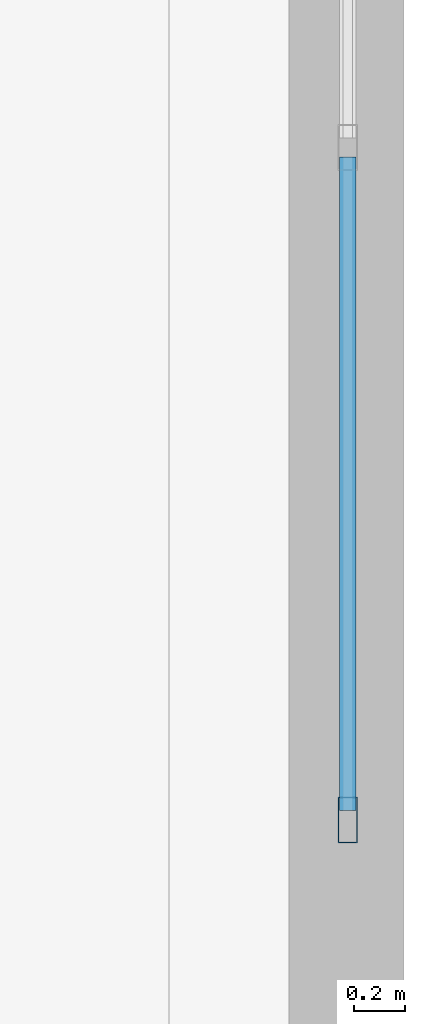
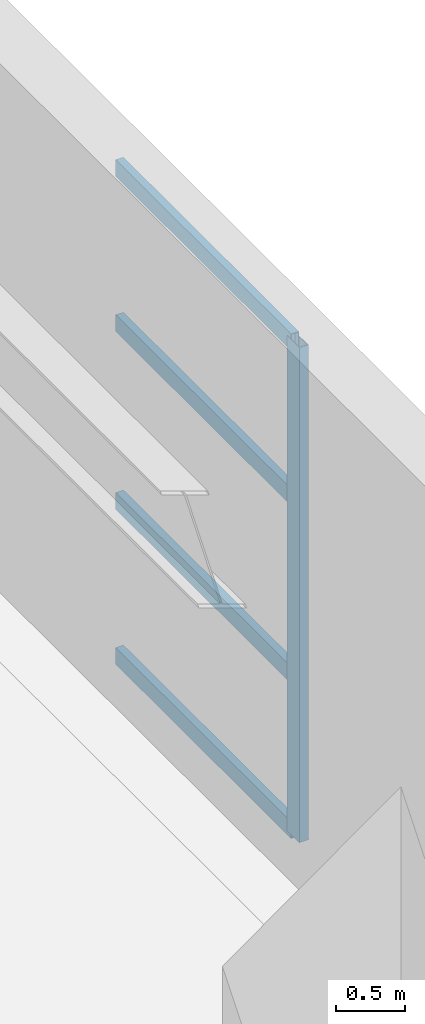
# One storey, part 14 of 35: 5 members, 1 element without a shape of its own.
"""IFC4 building model written with IfcOpenShell, lengths in metres."""

from ifc_helpers import new_model, si_unit, direction, frame, origin, origin_2d, place, context, subcontext, project, spatial, hollow_rectangle, extrude, material, layer, layer_set, material_profile, profile_set, type_object, element, aggregate, save


model = new_model("IFC4")

# Units and contexts
model_context = context("Model", 3, precision=1e-05, world=origin(), true_north=direction((0.0, 1.0)))
body_context = subcontext(model_context, "Body", "Model", "MODEL_VIEW")
ifc_project = project(units=[si_unit("LENGTHUNIT", "METRE"), si_unit("AREAUNIT", "SQUARE_METRE"), si_unit("VOLUMEUNIT", "CUBIC_METRE"), si_unit("PLANEANGLEUNIT", "RADIAN"), si_unit("MASSUNIT", "GRAM", prefix="KILO")], contexts=[model_context])

# Site, building, storey
site_placement = place(None, origin())
site = spatial("IfcSite", under=ifc_project, at=site_placement, CompositionType="ELEMENT")
building_placement = place(site_placement, origin())
building = spatial("IfcBuilding", under=site, at=building_placement, Name="Qiaolan Cultural Towers", CompositionType="ELEMENT")
storey_placement = place(building_placement, frame((0.0, 0.0, 11.5)))
storey = spatial("IfcBuildingStorey", under=building, at=storey_placement, Name="L02", CompositionType="ELEMENT", Elevation=11.5)

# Curtain wall, members
ifc_material_1 = material(Name="Unitized Anodized Aluminium Curtain Wall System", Category="aluminium")
ifc_layer = layer(ifc_material_1, 0.199951171875)
ifc_layer_set = layer_set([ifc_layer], Name="Unitized Anodized Aluminium Curtain Wall System")
curtain_wall_type = type_object("IfcCurtainWallType", Name="CWS-04", PredefinedType="NOTDEFINED", material=ifc_layer_set)
curtain_wall_placement = place(storey_placement, origin())
curtain_wall = element("IfcCurtainWall", 1, at=curtain_wall_placement, inside=storey, type_object=curtain_wall_type, Name="L02 East Exhibition Foyer Curtain Wall", PredefinedType="NOTDEFINED")
ifc_material_2 = material(Name="Extruded Aluminium 6063-T6", Category="aluminium")
ifc_material_profile_1 = material_profile(ifc_material_2, hollow_rectangle(XDim=0.074951171875, YDim=0.179931640625, WallThickness=0.00390625, at=origin_2d()), Name="CWM-180x75x4")
ifc_profile_set_1 = profile_set([ifc_material_profile_1], Name="Extruded Aluminium 6063-T6")
member_type_1 = type_object("IfcMemberType", Name="CWS-04-MUL", PredefinedType="MULLION", material=ifc_profile_set_1)
member_1_placement = place(storey_placement, frame((119.780029296875, 30.03759765625, 0.14990234375), z_axis=(0.0, 0.0, 1.0), x_axis=(-1.0, 0.0, 0.0)))
member_1 = element("IfcMember", 2, at=member_1_placement, type_object=member_type_1, Name="CW-4 mullion 1", PredefinedType="MULLION", context=body_context, shape_type="SweptSolid", body=[
    extrude(hollow_rectangle(XDim=0.074951171875, YDim=0.179931640625, WallThickness=0.00390625, at=origin_2d()), origin(), (0.0, 0.0, 1.0), 4.400146484375),
])
ifc_material_3 = material(Name="Extruded Aluminium 6063-T6", Category="aluminium")
ifc_material_profile_2 = material_profile(ifc_material_3, hollow_rectangle(XDim=0.06494140625, YDim=0.14990234375, WallThickness=0.00390625, at=origin_2d()), Name="CWT-150x65x4")
ifc_profile_set_2 = profile_set([ifc_material_profile_2], Name="Extruded Aluminium 6063-T6")
member_type_2 = type_object("IfcMemberType", Name="CWS-04-TRN", PredefinedType="USERDEFINED", material=ifc_profile_set_2)
member_2_placement = place(storey_placement, frame((119.780029296875, 30.074951171875, 0.1826171875), z_axis=(0.0, 1.0, 0.0), x_axis=(-1.0, 0.0, 0.0)))
member_2 = element("IfcMember", 3, at=member_2_placement, type_object=member_type_2, Name="CW-4 transom 1.1", ObjectType="TRANSOM", PredefinedType="USERDEFINED", context=body_context, shape_type="SweptSolid", body=[
    extrude(hollow_rectangle(XDim=0.06494140625, YDim=0.14990234375, WallThickness=0.00390625, at=origin_2d()), origin(), (0.0, 0.0, 1.0), 2.55419921875),
])
member_3_placement = place(storey_placement, frame((119.780029296875, 30.074951171875, 1.56005859375), z_axis=(0.0, 1.0, 0.0), x_axis=(-1.0, 0.0, 0.0)))
member_3 = element("IfcMember", 4, at=member_3_placement, type_object=member_type_2, Name="CW-4 transom 1.2", ObjectType="TRANSOM", PredefinedType="USERDEFINED", context=body_context, shape_type="SweptSolid", body=[
    extrude(hollow_rectangle(XDim=0.06494140625, YDim=0.14990234375, WallThickness=0.00390625, at=origin_2d()), origin(), (0.0, 0.0, 1.0), 2.55419921875),
])
member_4_placement = place(storey_placement, frame((119.780029296875, 30.074951171875, 3.139892578125), z_axis=(0.0, 1.0, 0.0), x_axis=(-1.0, 0.0, 0.0)))
member_4 = element("IfcMember", 5, at=member_4_placement, type_object=member_type_2, Name="CW-4 transom 1.3", ObjectType="TRANSOM", PredefinedType="USERDEFINED", context=body_context, shape_type="SweptSolid", body=[
    extrude(hollow_rectangle(XDim=0.06494140625, YDim=0.14990234375, WallThickness=0.00390625, at=origin_2d()), origin(), (0.0, 0.0, 1.0), 2.55419921875),
])
member_5_placement = place(storey_placement, frame((119.780029296875, 30.074951171875, 4.517578125), z_axis=(0.0, 1.0, 0.0), x_axis=(-1.0, 0.0, 0.0)))
member_5 = element("IfcMember", 6, at=member_5_placement, type_object=member_type_2, Name="CW-4 transom 1.4", ObjectType="TRANSOM", PredefinedType="USERDEFINED", context=body_context, shape_type="SweptSolid", body=[
    extrude(hollow_rectangle(XDim=0.06494140625, YDim=0.14990234375, WallThickness=0.00390625, at=origin_2d()), origin(), (0.0, 0.0, 1.0), 2.55419921875),
])
aggregate(curtain_wall, [member_1, member_2, member_3, member_4, member_5])

save(model, "model.ifc")
